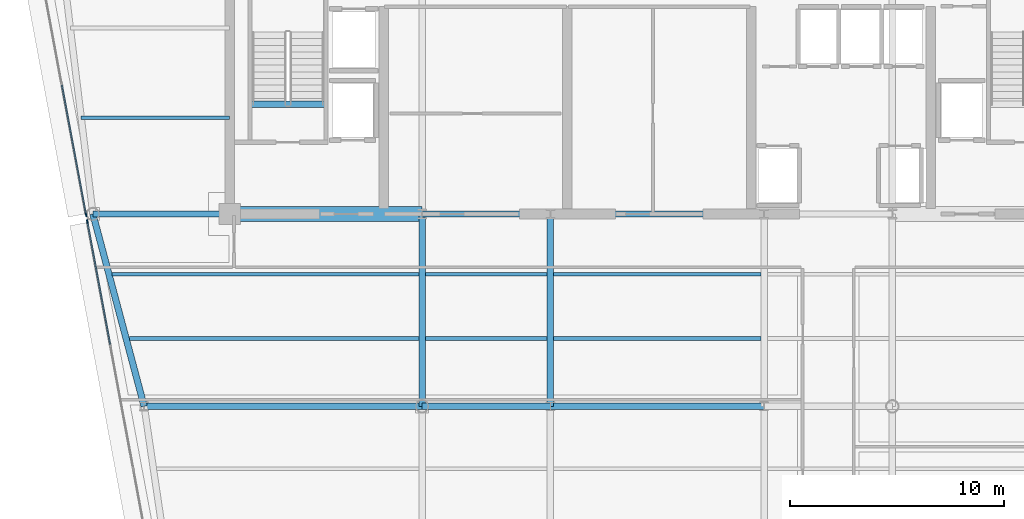
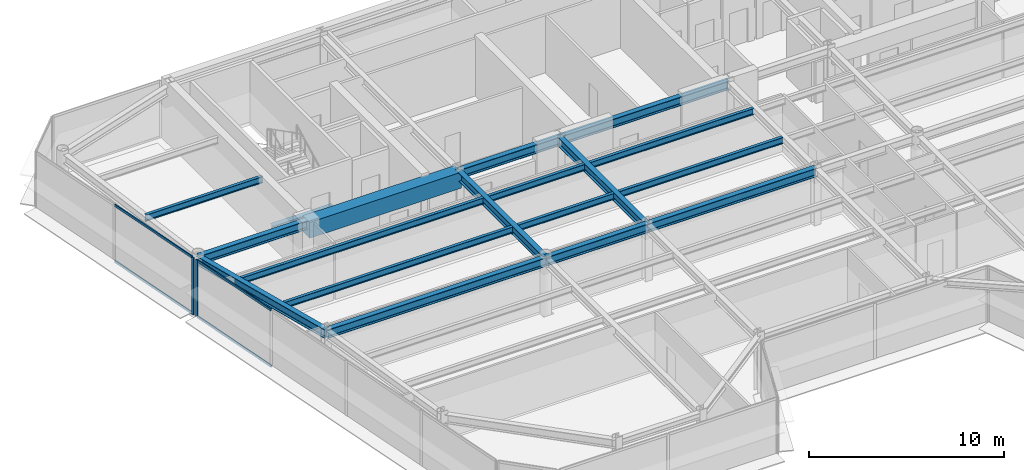
# One storey, part 4 of 18: 18 beams, 6 members, 2 elements without a shape of their own.
"""IFC4 building model written with IfcOpenShell, lengths in metres."""

from ifc_helpers import new_model, si_unit, direction, frame, origin, origin_2d, place, context, subcontext, project, spatial, rectangle, i_section, extrude, source, transform, mapped, material, layer, layer_set, material_profile, profile_set, type_object, element, aggregate, save


model = new_model("IFC4")

# Units and contexts
model_context = context("Model", 3, precision=1e-05, world=origin(), true_north=direction((0.0, 1.0)))
body_context = subcontext(model_context, "Body", "Model", "MODEL_VIEW")
ifc_project = project(units=[si_unit("LENGTHUNIT", "METRE"), si_unit("AREAUNIT", "SQUARE_METRE"), si_unit("VOLUMEUNIT", "CUBIC_METRE"), si_unit("PLANEANGLEUNIT", "RADIAN"), si_unit("MASSUNIT", "GRAM", prefix="KILO")], contexts=[model_context])

# Site, building, storey
site_placement = place(None, origin())
site = spatial("IfcSite", under=ifc_project, at=site_placement, CompositionType="ELEMENT")
building_placement = place(site_placement, origin())
building = spatial("IfcBuilding", under=site, at=building_placement, Name="Vaeldorn Concourse Tower", CompositionType="ELEMENT")
storey_placement = place(building_placement, frame((0.0, 0.0, 253.60009765625)))
storey = spatial("IfcBuildingStorey", under=building, at=storey_placement, Name="L65", CompositionType="ELEMENT", Elevation=253.60009765625)

# Beams
ifc_material_1 = material(Name="Concrete C50/60", Category="concrete")
ifc_material_profile_1 = material_profile(ifc_material_1, rectangle(XDim=0.699951171875, YDim=1.0, at=origin_2d()), Name="RC 700x1000")
ifc_profile_set_1 = profile_set([ifc_material_profile_1], Name="Concrete C50/60")
beam_type_1 = type_object("IfcBeamType", Name="BM-CB-RC700", PredefinedType="BEAM", material=ifc_profile_set_1)
shared_shape_1 = source(origin(), body_context, "Body", "SweptSolid", [
    extrude(rectangle(XDim=0.699951171875, YDim=1.0, at=origin_2d()), origin(), (0.0, 0.0, 1.0), 9.0),
])
beam_1_placement = place(storey_placement, frame((14.0, 36.5, 3.079833984375), z_axis=(1.0, 0.0, 0.0), x_axis=(0.0, 1.0, 0.0)))
element("IfcBeam", 1, at=beam_1_placement, inside=storey, type_object=beam_type_1, Name="Core Coupling Beam L65-1", PredefinedType="BEAM", context=body_context, shape_type="MappedRepresentation", body=[
    mapped(shared_shape_1, transform((0.0, 0.0, 0.0), scale=1.0)),
])
ifc_material_2 = material(Name="Steel S355", Category="steel")
ifc_material_profile_2 = material_profile(ifc_material_2, i_section(OverallWidth=0.300048828125, OverallDepth=0.340087890625, WebThickness=0.011962890625, FlangeThickness=0.021484375, FilletRadius=0.027099609375, at=origin_2d()), Name="HEB 340")
ifc_profile_set_2 = profile_set([ifc_material_profile_2], Name="Steel S355")
beam_type_2 = type_object("IfcBeamType", Name="BM-ST-TRIM", PredefinedType="BEAM", material=ifc_profile_set_2)
shared_shape_2 = source(origin(), body_context, "Body", "SweptSolid", [
    extrude(i_section(OverallWidth=0.300048828125, OverallDepth=0.340087890625, WebThickness=0.011962890625, FlangeThickness=0.021484375, FilletRadius=0.027099609375, at=origin_2d()), origin(), (0.0, 0.0, 1.0), 3.590087890625),
])
beam_2_placement = place(storey_placement, frame((14.929931640625, 41.639892578125, -0.39013671875), z_axis=(1.0, 0.0, 0.0), x_axis=(0.0, 1.0, 0.0)))
element("IfcBeam", 2, at=beam_2_placement, inside=storey, type_object=beam_type_2, Name="Stair Landing Trimmer Beam ST-1 L65", PredefinedType="BEAM", context=body_context, shape_type="MappedRepresentation", body=[
    mapped(shared_shape_2, transform((0.0, 0.0, 0.0), scale=1.0)),
])
ifc_material_profile_3 = material_profile(ifc_material_2, i_section(OverallWidth=0.179931640625, OverallDepth=0.39990234375, WebThickness=0.008544921875, FlangeThickness=0.013427734375, FilletRadius=0.02099609375, at=origin_2d()), Name="IPE 400")
ifc_profile_set_3 = profile_set([ifc_material_profile_3], Name="Steel S355")
beam_type_3 = type_object("IfcBeamType", Name="BM-JS-IPE400", PredefinedType="JOIST", material=ifc_profile_set_3)
shared_shape_3 = source(origin(), body_context, "Body", "SweptSolid", [
    extrude(i_section(OverallWidth=0.179931640625, OverallDepth=0.39990234375, WebThickness=0.008544921875, FlangeThickness=0.013427734375, FilletRadius=0.02099609375, at=origin_2d()), origin(), (0.0, 0.0, 1.0), 5.7001953125),
])
for number, where, z_axis, x_axis, name in (
    (3, (23.14990234375, 30.679931640625, 3.3798828125), (1.0, 0.0, 0.0), (0.0, 1.0, 0.0), "Beam JS-L65-W2-306"),
    (4, (23.14990234375, 33.679931640625, 3.3798828125), (1.0, 0.0, 0.0), (0.0, 1.0, 0.0), "Beam JS-L65-W2-336"),
):
    element("IfcBeam", number, at=place(storey_placement, frame(where, z_axis=z_axis, x_axis=x_axis)), inside=storey, type_object=beam_type_3, Name=name, PredefinedType="JOIST", context=body_context, shape_type="MappedRepresentation", body=[
        mapped(shared_shape_3, transform((0.0, 0.0, 0.0), scale=1.0)),
    ])
shared_shape_4 = source(origin(), body_context, "Body", "SweptSolid", [
    extrude(i_section(OverallWidth=0.179931640625, OverallDepth=0.39990234375, WebThickness=0.008544921875, FlangeThickness=0.013427734375, FilletRadius=0.02099609375, at=origin_2d()), origin(), (0.0, 0.0, 1.0), 9.7001953125),
])
for number, where, z_axis, x_axis, name in (
    (5, (29.14990234375, 30.679931640625, 3.3798828125), (1.0, 0.0, 0.0), (0.0, 1.0, 0.0), "Beam JS-L65-C-306"),
    (6, (29.14990234375, 33.679931640625, 3.3798828125), (1.0, 0.0, 0.0), (0.0, 1.0, 0.0), "Beam JS-L65-C-336"),
):
    element("IfcBeam", number, at=place(storey_placement, frame(where, z_axis=z_axis, x_axis=x_axis)), inside=storey, type_object=beam_type_3, Name=name, PredefinedType="JOIST", context=body_context, shape_type="MappedRepresentation", body=[
        mapped(shared_shape_4, transform((0.0, 0.0, 0.0), scale=1.0)),
    ])
shared_shape_5 = source(origin(), body_context, "Body", "SweptSolid", [
    extrude(i_section(OverallWidth=0.179931640625, OverallDepth=0.39990234375, WebThickness=0.008544921875, FlangeThickness=0.013427734375, FilletRadius=0.02099609375, at=origin_2d()), origin(), (0.0, 0.0, 1.0), 13.548095703125),
])
beam_3_placement = place(storey_placement, frame((9.302001953125, 30.679931640625, 3.3798828125), z_axis=(1.0, 0.0, 0.0), x_axis=(0.0, 1.0, 0.0)))
element("IfcBeam", 7, at=beam_3_placement, inside=storey, type_object=beam_type_3, Name="Beam JS-L65-W1-306", PredefinedType="JOIST", context=body_context, shape_type="MappedRepresentation", body=[
    mapped(shared_shape_5, transform((0.0, 0.0, 0.0), scale=1.0)),
])
shared_shape_6 = source(origin(), body_context, "Body", "SweptSolid", [
    extrude(i_section(OverallWidth=0.179931640625, OverallDepth=0.39990234375, WebThickness=0.008544921875, FlangeThickness=0.013427734375, FilletRadius=0.02099609375, at=origin_2d()), origin(), (0.0, 0.0, 1.0), 14.34814453125),
])
beam_4_placement = place(storey_placement, frame((8.501953125, 33.679931640625, 3.3798828125), z_axis=(1.0, 0.0, 0.0), x_axis=(0.0, 1.0, 0.0)))
element("IfcBeam", 8, at=beam_4_placement, inside=storey, type_object=beam_type_3, Name="Beam JS-L65-W1-336", PredefinedType="JOIST", context=body_context, shape_type="MappedRepresentation", body=[
    mapped(shared_shape_6, transform((0.0, 0.0, 0.0), scale=1.0)),
])
shared_shape_7 = source(origin(), body_context, "Body", "SweptSolid", [
    extrude(i_section(OverallWidth=0.179931640625, OverallDepth=0.39990234375, WebThickness=0.008544921875, FlangeThickness=0.013427734375, FilletRadius=0.02099609375, at=origin_2d()), origin(), (0.0, 0.0, 1.0), 6.94775390625),
])
beam_5_placement = place(storey_placement, frame((7.05224609375, 41.0, 3.3798828125), z_axis=(1.0, 0.0, 0.0), x_axis=(0.0, 1.0, 0.0)))
element("IfcBeam", 9, at=beam_5_placement, inside=storey, type_object=beam_type_3, Name="Beam JS-L65-NW-410", PredefinedType="JOIST", context=body_context, shape_type="MappedRepresentation", body=[
    mapped(shared_shape_7, transform((0.0, 0.0, 0.0), scale=1.0)),
])
ifc_material_profile_4 = material_profile(ifc_material_2, i_section(OverallWidth=0.300048828125, OverallDepth=0.550048828125, WebThickness=0.014892578125, FlangeThickness=0.029052734375, FilletRadius=0.027099609375, at=origin_2d()), Name="HEB 550")
ifc_profile_set_4 = profile_set([ifc_material_profile_4], Name="Steel S355")
beam_type_4 = type_object("IfcBeamType", Name="BM-PG-HEB550", PredefinedType="BEAM", material=ifc_profile_set_4)
shared_shape_8 = source(origin(), body_context, "Body", "SweptSolid", [
    extrude(i_section(OverallWidth=0.300048828125, OverallDepth=0.550048828125, WebThickness=0.014892578125, FlangeThickness=0.029052734375, FilletRadius=0.027099609375, at=origin_2d()), origin(), (0.0, 0.0, 1.0), 6.0),
])
for number, where, z_axis, x_axis, name in (
    (10, (23.0, 36.5, 3.304931640625), (1.0, 0.0, 0.0), (0.0, 1.0, 0.0), "Beam BM-L65-C-FC2-C-FC3"),
    (11, (23.0, 27.5, 3.304931640625), (1.0, 0.0, 0.0), (0.0, 1.0, 0.0), "Beam BM-L65-C-TW1-C-TW2"),
):
    element("IfcBeam", number, at=place(storey_placement, frame(where, z_axis=z_axis, x_axis=x_axis)), inside=storey, type_object=beam_type_4, Name=name, PredefinedType="BEAM", context=body_context, shape_type="MappedRepresentation", body=[
        mapped(shared_shape_8, transform((0.0, 0.0, 0.0), scale=1.0)),
    ])
shared_shape_9 = source(origin(), body_context, "Body", "SweptSolid", [
    extrude(i_section(OverallWidth=0.300048828125, OverallDepth=0.550048828125, WebThickness=0.014892578125, FlangeThickness=0.029052734375, FilletRadius=0.027099609375, at=origin_2d()), origin(), (0.0, 0.0, 1.0), 10.0),
])
for number, where, z_axis, x_axis, name in (
    (12, (29.0, 36.5, 3.304931640625), (1.0, 0.0, 0.0), (0.0, 1.0, 0.0), "Beam BM-L65-C-FC3-C-FC4"),
    (13, (29.0, 27.5, 3.304931640625), (1.0, 0.0, 0.0), (0.0, 1.0, 0.0), "Beam BM-L65-C-TW2-C-TW3"),
):
    element("IfcBeam", number, at=place(storey_placement, frame(where, z_axis=z_axis, x_axis=x_axis)), inside=storey, type_object=beam_type_4, Name=name, PredefinedType="BEAM", context=body_context, shape_type="MappedRepresentation", body=[
        mapped(shared_shape_9, transform((0.0, 0.0, 0.0), scale=1.0)),
    ])
shared_shape_10 = source(origin(), body_context, "Body", "SweptSolid", [
    extrude(i_section(OverallWidth=0.300048828125, OverallDepth=0.550048828125, WebThickness=0.014892578125, FlangeThickness=0.029052734375, FilletRadius=0.027099609375, at=origin_2d()), origin(), (0.0, 0.0, 1.0), 9.0),
])
for number, where, z_axis, x_axis, name in (
    (14, (23.0, 27.5, 3.304931640625), (0.0, 1.0, 0.0), (-1.0, 0.0, 0.0), "Beam BM-L65-C-TW1-C-FC2"),
    (15, (29.0, 27.5, 3.304931640625), (0.0, 1.0, 0.0), (-1.0, 0.0, 0.0), "Beam BM-L65-C-TW2-C-FC3"),
):
    element("IfcBeam", number, at=place(storey_placement, frame(where, z_axis=z_axis, x_axis=x_axis)), inside=storey, type_object=beam_type_4, Name=name, PredefinedType="BEAM", context=body_context, shape_type="MappedRepresentation", body=[
        mapped(shared_shape_10, transform((0.0, 0.0, 0.0), scale=1.0)),
    ])
shared_shape_11 = source(origin(), body_context, "Body", "SweptSolid", [
    extrude(i_section(OverallWidth=0.300048828125, OverallDepth=0.550048828125, WebThickness=0.014892578125, FlangeThickness=0.029052734375, FilletRadius=0.027099609375, at=origin_2d()), origin(), (0.0, 0.0, 1.0), 6.39990234375),
])
beam_6_placement = place(storey_placement, frame((7.60009765625, 36.5, 3.304931640625), z_axis=(1.0, 0.0, 0.0), x_axis=(0.0, 1.0, 0.0)))
element("IfcBeam", 16, at=beam_6_placement, inside=storey, type_object=beam_type_4, Name="Beam BM-L65-C-NW2-C-FC1", PredefinedType="BEAM", context=body_context, shape_type="MappedRepresentation", body=[
    mapped(shared_shape_11, transform((0.0, 0.0, 0.0), scale=1.0)),
])
shared_shape_12 = source(origin(), body_context, "Body", "SweptSolid", [
    extrude(i_section(OverallWidth=0.300048828125, OverallDepth=0.550048828125, WebThickness=0.014892578125, FlangeThickness=0.029052734375, FilletRadius=0.027099609375, at=origin_2d()), origin(), (0.0, 0.0, 1.0), 9.314453125),
])
beam_7_placement = place(storey_placement, frame((7.60009765625, 36.5, 3.304931640625), z_axis=(0.257652862255, -0.966237549763, 0.0), x_axis=(0.966237549763, 0.257652862255, 0.0)))
element("IfcBeam", 17, at=beam_7_placement, inside=storey, type_object=beam_type_4, Name="Beam BM-L65-C-NW2-C-FLW1", PredefinedType="BEAM", context=body_context, shape_type="MappedRepresentation", body=[
    mapped(shared_shape_12, transform((0.0, 0.0, 0.0), scale=1.0)),
])
shared_shape_13 = source(origin(), body_context, "Body", "SweptSolid", [
    extrude(i_section(OverallWidth=0.300048828125, OverallDepth=0.550048828125, WebThickness=0.014892578125, FlangeThickness=0.029052734375, FilletRadius=0.027099609375, at=origin_2d()), origin(), (0.0, 0.0, 1.0), 13.0),
])
beam_8_placement = place(storey_placement, frame((10.0, 27.5, 3.304931640625), z_axis=(1.0, 0.0, 0.0), x_axis=(0.0, 1.0, 0.0)))
element("IfcBeam", 18, at=beam_8_placement, inside=storey, type_object=beam_type_4, Name="Beam BM-L65-C-FLW1-C-TW1", PredefinedType="BEAM", context=body_context, shape_type="MappedRepresentation", body=[
    mapped(shared_shape_13, transform((0.0, 0.0, 0.0), scale=1.0)),
])

# Curtain wall, member
ifc_material_3 = material(Name="Anodised Bronze Aluminium", Category="aluminium")
ifc_layer = layer(ifc_material_3, 0.179931640625)
ifc_layer_set = layer_set([ifc_layer], Name="Anodised Bronze Aluminium")
curtain_wall_type = type_object("IfcCurtainWallType", Name="CW-SYS-05", PredefinedType="NOTDEFINED", material=ifc_layer_set)
curtain_wall_1_placement = place(storey_placement, origin())
curtain_wall_1 = element("IfcCurtainWall", 19, at=curtain_wall_1_placement, inside=storey, type_object=curtain_wall_type, Name="Unitised Curtain Wall CW-L65-E11-1", PredefinedType="NOTDEFINED")
ifc_material_profile_5 = material_profile(ifc_material_3, rectangle(XDim=0.06494140625, YDim=0.169921875, at=origin_2d()), Name="CWM 65x170")
ifc_profile_set_5 = profile_set([ifc_material_profile_5], Name="Anodised Bronze Aluminium")
member_type_1 = type_object("IfcMemberType", Name="CWM-BRONZE-170", PredefinedType="MULLION", material=ifc_profile_set_5)
shared_shape_14 = source(origin(), body_context, "Body", "SweptSolid", [
    extrude(rectangle(XDim=0.06494140625, YDim=0.169921875, at=origin_2d()), origin(), (0.0, 0.0, 1.0), 3.579833984375),
])
member_1_placement = place(storey_placement, frame((7.279052734375, 36.460205078125, 0.0), z_axis=(0.0, 0.0, 1.0), x_axis=(0.983102768025, 0.183054493257, 0.0)))
member_1 = element("IfcMember", 20, at=member_1_placement, type_object=member_type_1, Name="CW-05 mullion 3", PredefinedType="MULLION", context=body_context, shape_type="MappedRepresentation", body=[
    mapped(shared_shape_14, transform((0.0, 0.0, 0.0), scale=1.0)),
])

# Curtain wall, members
curtain_wall_2_placement = place(storey_placement, origin())
curtain_wall_2 = element("IfcCurtainWall", 21, at=curtain_wall_2_placement, inside=storey, type_object=curtain_wall_type, Name="Unitised Curtain Wall CW-L65-E11-2", PredefinedType="NOTDEFINED")
member_2_placement = place(storey_placement, frame((7.336181640625, 36.153076171875, 0.0), z_axis=(0.0, 0.0, 1.0), x_axis=(0.983102653673, 0.18305510739, 0.0)))
member_2 = element("IfcMember", 22, at=member_2_placement, type_object=member_type_1, Name="CW-05 mullion 1", PredefinedType="MULLION", context=body_context, shape_type="MappedRepresentation", body=[
    mapped(shared_shape_14, transform((0.0, 0.0, 0.0), scale=1.0)),
])
ifc_material_profile_6 = material_profile(ifc_material_3, rectangle(XDim=0.06494140625, YDim=0.14990234375, at=origin_2d()), Name="CWT 65x150")
ifc_profile_set_6 = profile_set([ifc_material_profile_6], Name="Anodised Bronze Aluminium")
member_type_2 = type_object("IfcMemberType", Name="CWT-BRONZE-150", PredefinedType="USERDEFINED", material=ifc_profile_set_6)
shared_shape_15 = source(origin(), body_context, "Body", "SweptSolid", [
    extrude(rectangle(XDim=0.06494140625, YDim=0.14990234375, at=origin_2d()), origin(), (0.0, 0.0, 1.0), 5.82373046875),
])
member_3_placement = place(storey_placement, frame((7.34228515625, 36.12109375, 0.032470703125), z_axis=(0.183030414843, -0.983107251139, 0.0), x_axis=(0.983107251139, 0.183030414843, 0.0)))
member_3 = element("IfcMember", 23, at=member_3_placement, type_object=member_type_2, Name="CW-05 transom 1.1", ObjectType="TRANSOM", PredefinedType="USERDEFINED", context=body_context, shape_type="MappedRepresentation", body=[
    mapped(shared_shape_15, transform((0.0, 0.0, 0.0), scale=1.0)),
])
member_4_placement = place(storey_placement, frame((7.34228515625, 36.12109375, 3.54736328125), z_axis=(0.183030414843, -0.983107251139, 0.0), x_axis=(0.983107251139, 0.183030414843, 0.0)))
member_4 = element("IfcMember", 24, at=member_4_placement, type_object=member_type_2, Name="CW-05 transom 1.2", ObjectType="TRANSOM", PredefinedType="USERDEFINED", context=body_context, shape_type="MappedRepresentation", body=[
    mapped(shared_shape_15, transform((0.0, 0.0, 0.0), scale=1.0)),
])
aggregate(curtain_wall_2, [member_2, member_3, member_4])

# Member
shared_shape_16 = source(origin(), body_context, "Body", "SweptSolid", [
    extrude(rectangle(XDim=0.06494140625, YDim=0.14990234375, at=origin_2d()), origin(), (0.0, 0.0, 1.0), 6.143798828125),
])
member_5_placement = place(storey_placement, frame((6.1484375, 42.5322265625, 0.032470703125), z_axis=(0.183069583935, -0.983099958009, 0.0), x_axis=(0.983099958009, 0.183069583935, 0.0)))
member_5 = element("IfcMember", 25, at=member_5_placement, type_object=member_type_2, Name="CW-05 transom 2.1", ObjectType="TRANSOM", PredefinedType="USERDEFINED", context=body_context, shape_type="MappedRepresentation", body=[
    mapped(shared_shape_16, transform((0.0, 0.0, 0.0), scale=1.0)),
])

member_6_placement = place(storey_placement, frame((6.1484375, 42.5322265625, 3.54736328125), z_axis=(0.183069583935, -0.983099958009, 0.0), x_axis=(0.983099958009, 0.183069583935, 0.0)))
member_6 = element("IfcMember", 26, at=member_6_placement, type_object=member_type_2, Name="CW-05 transom 2.2", ObjectType="TRANSOM", PredefinedType="USERDEFINED", context=body_context, shape_type="MappedRepresentation", body=[
    mapped(shared_shape_16, transform((0.0, 0.0, 0.0), scale=1.0)),
])

aggregate(curtain_wall_1, [member_1, member_5, member_6])

save(model, "model.ifc")
